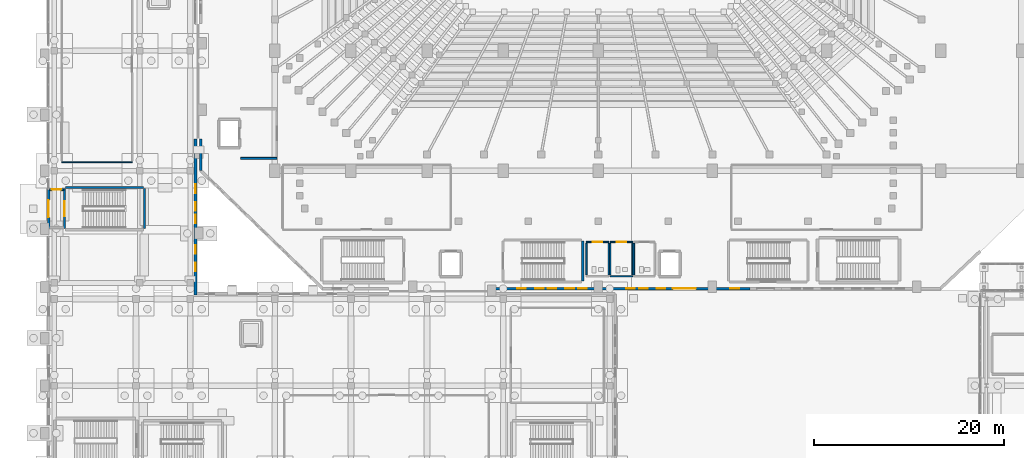
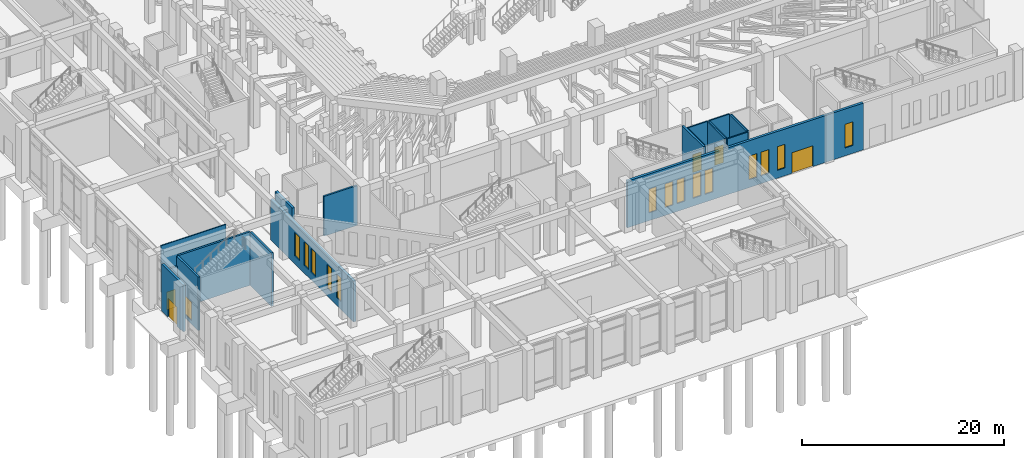
# One storey, part 106 of 143: 19 walls, 14 windows, 6 doors, 20 openings.
"""IFC4 building model written with IfcOpenShell, lengths in metres."""

from ifc_helpers import new_model, si_unit, derived_unit, direction, frame, frame_2d, origin, place, context, subcontext, project, spatial, rectangle, extrude, material, layer, layer_set, type_object, element, fill, save


model = new_model("IFC4")

# Units and contexts
model_context = context("Model", 3, precision=1e-05, world=origin(), true_north=direction((0.0, 1.0)))
body_context = subcontext(model_context, "Body", "Model", "MODEL_VIEW")
ifc_project = project(units=[si_unit("LENGTHUNIT", "METRE"), si_unit("AREAUNIT", "SQUARE_METRE"), si_unit("VOLUMEUNIT", "CUBIC_METRE"), si_unit("PLANEANGLEUNIT", "RADIAN"), si_unit("MASSUNIT", "GRAM", prefix="KILO"), derived_unit("THERMALTRANSMITTANCEUNIT", [(si_unit("MASSUNIT", "GRAM", prefix="KILO"), 1), (si_unit("TIMEUNIT", "SECOND"), -3), (si_unit("THERMODYNAMICTEMPERATUREUNIT", "KELVIN"), -1)])], contexts=[model_context])

# Site, building, storey
site_placement = place(None, origin())
site = spatial("IfcSite", under=ifc_project, at=site_placement, CompositionType="ELEMENT")
building_placement = place(site_placement, origin())
building = spatial("IfcBuilding", under=site, at=building_placement, Name="Valcora Ridge Arena", CompositionType="ELEMENT")
storey_placement = place(building_placement, origin())
storey = spatial("IfcBuildingStorey", under=building, at=storey_placement, Name="L00", CompositionType="ELEMENT", Elevation=0.0)

# Wall, openings, windows
ifc_material_1 = material(Name="Bush-hammered Andean travertine on concrete backup C40/50", Category="masonry")
ifc_layer_1 = layer(ifc_material_1, 0.280029296875, Name="Bush-hammered Andean travertine on concrete backup C40/50")
ifc_layer_set_1 = layer_set([ifc_layer_1], Name="Bush-hammered Andean travertine on concrete backup C40/50")
wall_type_1 = type_object("IfcWallType", Name="TY-WALL-EW-TRV-28-49", PredefinedType="STANDARD", material=ifc_layer_set_1)
wall_1_placement = place(storey_placement, frame((15.64990234375, 19.550048828125, 0.0), z_axis=(0.0, 0.0, 1.0), x_axis=(0.0, 1.0, 0.0)))
wall_1 = element("IfcWall", 1, at=wall_1_placement, inside=storey, type_object=wall_type_1, Name="EW-TRV-28-49 WAL-EW-0077", PredefinedType="STANDARD", context=body_context, shape_type="SweptSolid", body=[
    extrude(rectangle(XDim=16.39990234375, YDim=0.280029296875, at=frame_2d((8.199951171875, 0.0))), origin(), (0.0, 0.0, 1.0), 4.889892578125),
])
opening_1_placement = place(wall_1_placement, frame((2.449951171875, 0.0, 0.949951171875)))
opening_1 = element("IfcOpeningElement", 2, at=opening_1_placement, cuts=wall_1, Name="Opening W-GLAN-90X285", PredefinedType="OPENING", context=body_context, shape_type="SweptSolid", body=[
    extrude(rectangle(XDim=0.89990234375, YDim=2.85009765625, at=frame_2d((0.449951171875, 1.425048828125))), frame((0.0, 0.14990234375, 0.0), z_axis=(0.0, -1.0, 0.0), x_axis=(1.0, 0.0, 0.0)), (0.0, 0.0, 1.0), 0.300048828125),
])
opening_2_placement = place(wall_1_placement, frame((4.300048828125, 0.0, 0.949951171875)))
opening_2 = element("IfcOpeningElement", 3, at=opening_2_placement, cuts=wall_1, Name="Opening W-GLAN-90X285", PredefinedType="OPENING", context=body_context, shape_type="SweptSolid", body=[
    extrude(rectangle(XDim=0.89990234375, YDim=2.85009765625, at=frame_2d((0.449951171875, 1.425048828125))), frame((0.0, 0.14990234375, 0.0), z_axis=(0.0, -1.0, 0.0), x_axis=(1.0, 0.0, 0.0)), (0.0, 0.0, 1.0), 0.300048828125),
])
opening_3_placement = place(wall_1_placement, frame((7.5, 0.0, 0.949951171875)))
opening_3 = element("IfcOpeningElement", 4, at=opening_3_placement, cuts=wall_1, Name="Opening W-GLAN-90X285", PredefinedType="OPENING", context=body_context, shape_type="SweptSolid", body=[
    extrude(rectangle(XDim=0.89990234375, YDim=2.85009765625, at=frame_2d((0.449951171875, 1.425048828125))), frame((0.0, 0.14990234375, 0.0), z_axis=(0.0, -1.0, 0.0), x_axis=(1.0, 0.0, 0.0)), (0.0, 0.0, 1.0), 0.300048828125),
])
opening_4_placement = place(wall_1_placement, frame((8.85009765625, 0.0, 0.949951171875)))
opening_4 = element("IfcOpeningElement", 5, at=opening_4_placement, cuts=wall_1, Name="Opening W-GLAN-90X285", PredefinedType="OPENING", context=body_context, shape_type="SweptSolid", body=[
    extrude(rectangle(XDim=0.89990234375, YDim=2.85009765625, at=frame_2d((0.449951171875, 1.425048828125))), frame((0.0, 0.14990234375, 0.0), z_axis=(0.0, -1.0, 0.0), x_axis=(1.0, 0.0, 0.0)), (0.0, 0.0, 1.0), 0.300048828125),
])
opening_5_placement = place(wall_1_placement, frame((10.699951171875, 0.0, 0.949951171875)))
opening_5 = element("IfcOpeningElement", 6, at=opening_5_placement, cuts=wall_1, Name="Opening W-GLAN-90X285", PredefinedType="OPENING", context=body_context, shape_type="SweptSolid", body=[
    extrude(rectangle(XDim=0.89990234375, YDim=2.85009765625, at=frame_2d((0.449951171875, 1.425048828125))), frame((0.0, 0.14990234375, 0.0), z_axis=(0.0, -1.0, 0.0), x_axis=(1.0, 0.0, 0.0)), (0.0, 0.0, 1.0), 0.300048828125),
])
ifc_material_2 = material(Name="Low-iron solar-control double glazing SHGC 0.28", Category="glass")
window_type = type_object("IfcWindowType", Name="TY-WINDOW-W-GLAN-90X285", PartitioningType="DOUBLE_PANEL_VERTICAL", PredefinedType="WINDOW", material=ifc_material_2)
window_1_placement = place(opening_1_placement, origin())
window_1 = element("IfcWindow", 7, at=window_1_placement, inside=storey, type_object=window_type, Name="W-GLAN-90X285 WIN-EX-0207", OverallHeight=2.85009765625, OverallWidth=0.89990234375, PartitioningType="DOUBLE_PANEL_VERTICAL", PredefinedType="WINDOW", context=body_context, shape_type="SweptSolid", body=[
    extrude(rectangle(XDim=0.89990234375, YDim=2.85009765625, at=frame_2d((0.449951171875, 1.425048828125))), frame((0.0, 0.030029296875, 0.0), z_axis=(0.0, -1.0, 0.0), x_axis=(1.0, 0.0, 0.0)), (0.0, 0.0, 1.0), 0.06005859375),
])
fill(opening_1, window_1)
window_2_placement = place(opening_2_placement, origin())
window_2 = element("IfcWindow", 8, at=window_2_placement, inside=storey, type_object=window_type, Name="W-GLAN-90X285 WIN-EX-0208", OverallHeight=2.85009765625, OverallWidth=0.89990234375, PartitioningType="DOUBLE_PANEL_VERTICAL", PredefinedType="WINDOW", context=body_context, shape_type="SweptSolid", body=[
    extrude(rectangle(XDim=0.89990234375, YDim=2.85009765625, at=frame_2d((0.449951171875, 1.425048828125))), frame((0.0, 0.030029296875, 0.0), z_axis=(0.0, -1.0, 0.0), x_axis=(1.0, 0.0, 0.0)), (0.0, 0.0, 1.0), 0.06005859375),
])
fill(opening_2, window_2)
window_3_placement = place(opening_3_placement, origin())
window_3 = element("IfcWindow", 9, at=window_3_placement, inside=storey, type_object=window_type, Name="W-GLAN-90X285 WIN-EX-0209", OverallHeight=2.85009765625, OverallWidth=0.89990234375, PartitioningType="DOUBLE_PANEL_VERTICAL", PredefinedType="WINDOW", context=body_context, shape_type="SweptSolid", body=[
    extrude(rectangle(XDim=0.89990234375, YDim=2.85009765625, at=frame_2d((0.449951171875, 1.425048828125))), frame((0.0, 0.030029296875, 0.0), z_axis=(0.0, -1.0, 0.0), x_axis=(1.0, 0.0, 0.0)), (0.0, 0.0, 1.0), 0.06005859375),
])
fill(opening_3, window_3)
window_4_placement = place(opening_4_placement, origin())
window_4 = element("IfcWindow", 10, at=window_4_placement, inside=storey, type_object=window_type, Name="W-GLAN-90X285 WIN-EX-0210", OverallHeight=2.85009765625, OverallWidth=0.89990234375, PartitioningType="DOUBLE_PANEL_VERTICAL", PredefinedType="WINDOW", context=body_context, shape_type="SweptSolid", body=[
    extrude(rectangle(XDim=0.89990234375, YDim=2.85009765625, at=frame_2d((0.449951171875, 1.425048828125))), frame((0.0, 0.030029296875, 0.0), z_axis=(0.0, -1.0, 0.0), x_axis=(1.0, 0.0, 0.0)), (0.0, 0.0, 1.0), 0.06005859375),
])
fill(opening_4, window_4)
window_5_placement = place(opening_5_placement, origin())
window_5 = element("IfcWindow", 11, at=window_5_placement, inside=storey, type_object=window_type, Name="W-GLAN-90X285 WIN-EX-0211", OverallHeight=2.85009765625, OverallWidth=0.89990234375, PartitioningType="DOUBLE_PANEL_VERTICAL", PredefinedType="WINDOW", context=body_context, shape_type="SweptSolid", body=[
    extrude(rectangle(XDim=0.89990234375, YDim=2.85009765625, at=frame_2d((0.449951171875, 1.425048828125))), frame((0.0, 0.030029296875, 0.0), z_axis=(0.0, -1.0, 0.0), x_axis=(1.0, 0.0, 0.0)), (0.0, 0.0, 1.0), 0.06005859375),
])
fill(opening_5, window_5)

# Wall
ifc_layer_2 = layer(ifc_material_1, 0.280029296875, Name="Bush-hammered Andean travertine on concrete backup C40/50")
ifc_layer_set_2 = layer_set([ifc_layer_2], Name="Bush-hammered Andean travertine on concrete backup C40/50")
wall_type_2 = type_object("IfcWallType", Name="TY-WALL-EW-TRV-28-56", PredefinedType="STANDARD", material=ifc_layer_set_2)
wall_2_placement = place(storey_placement, frame((16.199951171875, 32.60009765625, 0.0), z_axis=(0.0, 0.0, 1.0), x_axis=(0.0, 1.0, 0.0)))
element("IfcWall", 12, at=wall_2_placement, inside=storey, type_object=wall_type_2, Name="EW-TRV-28-56 WAL-EW-0025", PredefinedType="STANDARD", context=body_context, shape_type="SweptSolid", body=[
    extrude(rectangle(XDim=3.349853515625, YDim=0.280029296875, at=frame_2d((1.6748046875, 0.0))), origin(), (0.0, 0.0, 1.0), 5.639892578125),
])

# Wall, openings, door, windows
wall_3_placement = place(storey_placement, frame((47.050048828125, 20.199951171875, 0.0), z_axis=(0.0, 0.0, 1.0), x_axis=(1.0, 0.0, 0.0)))
wall_3 = element("IfcWall", 13, at=wall_3_placement, inside=storey, type_object=wall_type_2, Name="EW-TRV-28-56 WAL-EW-0030", PredefinedType="STANDARD", context=body_context, shape_type="SweptSolid", body=[
    extrude(rectangle(XDim=26.929931640625, YDim=0.280029296875, at=frame_2d((13.46484375, 0.0))), origin(), (0.0, 0.0, 1.0), 5.639892578125),
])
opening_6_placement = place(wall_3_placement, frame((18.800048828125, 0.0, 0.0)))
opening_6 = element("IfcOpeningElement", 14, at=opening_6_placement, cuts=wall_3, Name="Opening E-MAIN-2400", PredefinedType="OPENING", context=body_context, shape_type="SweptSolid", body=[
    extrude(rectangle(XDim=2.39990234375, YDim=2.5, at=frame_2d((1.199951171875, 1.25))), frame((0.0, 0.14990234375, 0.0), z_axis=(0.0, -1.0, 0.0), x_axis=(1.0, 0.0, 0.0)), (0.0, 0.0, 1.0), 0.300048828125),
])
opening_7_placement = place(wall_3_placement, frame((2.449951171875, 0.0, 0.949951171875)))
opening_7 = element("IfcOpeningElement", 15, at=opening_7_placement, cuts=wall_3, Name="Opening W-GLAN-90X285", PredefinedType="OPENING", context=body_context, shape_type="SweptSolid", body=[
    extrude(rectangle(XDim=0.89990234375, YDim=2.85009765625, at=frame_2d((0.449951171875, 1.425048828125))), frame((0.0, 0.14990234375, 0.0), z_axis=(0.0, -1.0, 0.0), x_axis=(1.0, 0.0, 0.0)), (0.0, 0.0, 1.0), 0.300048828125),
])
opening_8_placement = place(wall_3_placement, frame((4.300048828125, 0.0, 0.949951171875)))
opening_8 = element("IfcOpeningElement", 16, at=opening_8_placement, cuts=wall_3, Name="Opening W-GLAN-90X285", PredefinedType="OPENING", context=body_context, shape_type="SweptSolid", body=[
    extrude(rectangle(XDim=0.89990234375, YDim=2.85009765625, at=frame_2d((0.449951171875, 1.425048828125))), frame((0.0, 0.14990234375, 0.0), z_axis=(0.0, -1.0, 0.0), x_axis=(1.0, 0.0, 0.0)), (0.0, 0.0, 1.0), 0.300048828125),
])
opening_9_placement = place(wall_3_placement, frame((5.64990234375, 0.0, 0.949951171875)))
opening_9 = element("IfcOpeningElement", 17, at=opening_9_placement, cuts=wall_3, Name="Opening W-GLAN-90X285", PredefinedType="OPENING", context=body_context, shape_type="SweptSolid", body=[
    extrude(rectangle(XDim=0.89990234375, YDim=2.85009765625, at=frame_2d((0.449951171875, 1.425048828125))), frame((0.0, 0.14990234375, 0.0), z_axis=(0.0, -1.0, 0.0), x_axis=(1.0, 0.0, 0.0)), (0.0, 0.0, 1.0), 0.300048828125),
])
opening_10_placement = place(wall_3_placement, frame((7.5, 0.0, 0.949951171875)))
opening_10 = element("IfcOpeningElement", 18, at=opening_10_placement, cuts=wall_3, Name="Opening W-GLAN-90X285", PredefinedType="OPENING", context=body_context, shape_type="SweptSolid", body=[
    extrude(rectangle(XDim=0.89990234375, YDim=2.85009765625, at=frame_2d((0.449951171875, 1.425048828125))), frame((0.0, 0.14990234375, 0.0), z_axis=(0.0, -1.0, 0.0), x_axis=(1.0, 0.0, 0.0)), (0.0, 0.0, 1.0), 0.300048828125),
])
opening_11_placement = place(wall_3_placement, frame((8.85009765625, 0.0, 0.949951171875)))
opening_11 = element("IfcOpeningElement", 19, at=opening_11_placement, cuts=wall_3, Name="Opening W-GLAN-90X285", PredefinedType="OPENING", context=body_context, shape_type="SweptSolid", body=[
    extrude(rectangle(XDim=0.89990234375, YDim=2.85009765625, at=frame_2d((0.449951171875, 1.425048828125))), frame((0.0, 0.14990234375, 0.0), z_axis=(0.0, -1.0, 0.0), x_axis=(1.0, 0.0, 0.0)), (0.0, 0.0, 1.0), 0.300048828125),
])
opening_12_placement = place(wall_3_placement, frame((13.89990234375, 0.0, 0.949951171875)))
opening_12 = element("IfcOpeningElement", 20, at=opening_12_placement, cuts=wall_3, Name="Opening W-GLAN-90X285", PredefinedType="OPENING", context=body_context, shape_type="SweptSolid", body=[
    extrude(rectangle(XDim=0.89990234375, YDim=2.85009765625, at=frame_2d((0.449951171875, 1.425048828125))), frame((0.0, 0.14990234375, 0.0), z_axis=(0.0, -1.0, 0.0), x_axis=(1.0, 0.0, 0.0)), (0.0, 0.0, 1.0), 0.300048828125),
])
opening_13_placement = place(wall_3_placement, frame((15.25, 0.0, 0.949951171875)))
opening_13 = element("IfcOpeningElement", 21, at=opening_13_placement, cuts=wall_3, Name="Opening W-GLAN-90X285", PredefinedType="OPENING", context=body_context, shape_type="SweptSolid", body=[
    extrude(rectangle(XDim=0.89990234375, YDim=2.85009765625, at=frame_2d((0.449951171875, 1.425048828125))), frame((0.0, 0.14990234375, 0.0), z_axis=(0.0, -1.0, 0.0), x_axis=(1.0, 0.0, 0.0)), (0.0, 0.0, 1.0), 0.300048828125),
])
opening_14_placement = place(wall_3_placement, frame((17.10009765625, 0.0, 0.949951171875)))
opening_14 = element("IfcOpeningElement", 22, at=opening_14_placement, cuts=wall_3, Name="Opening W-GLAN-90X285", PredefinedType="OPENING", context=body_context, shape_type="SweptSolid", body=[
    extrude(rectangle(XDim=0.89990234375, YDim=2.85009765625, at=frame_2d((0.449951171875, 1.425048828125))), frame((0.0, 0.14990234375, 0.0), z_axis=(0.0, -1.0, 0.0), x_axis=(1.0, 0.0, 0.0)), (0.0, 0.0, 1.0), 0.300048828125),
])
opening_15_placement = place(wall_3_placement, frame((24.85009765625, 0.0, 0.949951171875)))
opening_15 = element("IfcOpeningElement", 23, at=opening_15_placement, cuts=wall_3, Name="Opening W-GLAN-90X285", PredefinedType="OPENING", context=body_context, shape_type="SweptSolid", body=[
    extrude(rectangle(XDim=0.89990234375, YDim=2.85009765625, at=frame_2d((0.449951171875, 1.425048828125))), frame((0.0, 0.14990234375, 0.0), z_axis=(0.0, -1.0, 0.0), x_axis=(1.0, 0.0, 0.0)), (0.0, 0.0, 1.0), 0.300048828125),
])
ifc_material_3 = material(Name="Thermally broken bronze aluminium glazed entrance leaf", Category="aluminium")
door_type_1 = type_object("IfcDoorType", Name="TY-DOOR-E-MAIN-2400", OperationType="NOTDEFINED", PredefinedType="DOOR", material=ifc_material_3)
door_1_placement = place(opening_6_placement, origin())
door_1 = element("IfcDoor", 24, at=door_1_placement, inside=storey, type_object=door_type_1, Name="E-MAIN-2400 DOR-EX-0010", OperationType="DOUBLE_DOOR_SINGLE_SWING", OverallHeight=2.5, OverallWidth=2.39990234375, PredefinedType="DOOR", context=body_context, shape_type="SweptSolid", body=[
    extrude(rectangle(XDim=2.39990234375, YDim=2.5, at=frame_2d((1.199951171875, 1.25))), frame((0.0, 0.02490234375, 0.0), z_axis=(0.0, -1.0, 0.0), x_axis=(1.0, 0.0, 0.0)), (0.0, 0.0, 1.0), 0.050048828125),
])
fill(opening_6, door_1)
window_6_placement = place(opening_7_placement, origin())
window_6 = element("IfcWindow", 25, at=window_6_placement, inside=storey, type_object=window_type, Name="W-GLAN-90X285 WIN-EX-0051", OverallHeight=2.85009765625, OverallWidth=0.89990234375, PartitioningType="DOUBLE_PANEL_VERTICAL", PredefinedType="WINDOW", context=body_context, shape_type="SweptSolid", body=[
    extrude(rectangle(XDim=0.89990234375, YDim=2.85009765625, at=frame_2d((0.449951171875, 1.425048828125))), frame((0.0, 0.030029296875, 0.0), z_axis=(0.0, -1.0, 0.0), x_axis=(1.0, 0.0, 0.0)), (0.0, 0.0, 1.0), 0.06005859375),
])
fill(opening_7, window_6)
window_7_placement = place(opening_8_placement, origin())
window_7 = element("IfcWindow", 26, at=window_7_placement, inside=storey, type_object=window_type, Name="W-GLAN-90X285 WIN-EX-0052", OverallHeight=2.85009765625, OverallWidth=0.89990234375, PartitioningType="DOUBLE_PANEL_VERTICAL", PredefinedType="WINDOW", context=body_context, shape_type="SweptSolid", body=[
    extrude(rectangle(XDim=0.89990234375, YDim=2.85009765625, at=frame_2d((0.449951171875, 1.425048828125))), frame((0.0, 0.030029296875, 0.0), z_axis=(0.0, -1.0, 0.0), x_axis=(1.0, 0.0, 0.0)), (0.0, 0.0, 1.0), 0.06005859375),
])
fill(opening_8, window_7)
window_8_placement = place(opening_9_placement, origin())
window_8 = element("IfcWindow", 27, at=window_8_placement, inside=storey, type_object=window_type, Name="W-GLAN-90X285 WIN-EX-0053", OverallHeight=2.85009765625, OverallWidth=0.89990234375, PartitioningType="DOUBLE_PANEL_VERTICAL", PredefinedType="WINDOW", context=body_context, shape_type="SweptSolid", body=[
    extrude(rectangle(XDim=0.89990234375, YDim=2.85009765625, at=frame_2d((0.449951171875, 1.425048828125))), frame((0.0, 0.030029296875, 0.0), z_axis=(0.0, -1.0, 0.0), x_axis=(1.0, 0.0, 0.0)), (0.0, 0.0, 1.0), 0.06005859375),
])
fill(opening_9, window_8)
window_9_placement = place(opening_10_placement, origin())
window_9 = element("IfcWindow", 28, at=window_9_placement, inside=storey, type_object=window_type, Name="W-GLAN-90X285 WIN-EX-0054", OverallHeight=2.85009765625, OverallWidth=0.89990234375, PartitioningType="DOUBLE_PANEL_VERTICAL", PredefinedType="WINDOW", context=body_context, shape_type="SweptSolid", body=[
    extrude(rectangle(XDim=0.89990234375, YDim=2.85009765625, at=frame_2d((0.449951171875, 1.425048828125))), frame((0.0, 0.030029296875, 0.0), z_axis=(0.0, -1.0, 0.0), x_axis=(1.0, 0.0, 0.0)), (0.0, 0.0, 1.0), 0.06005859375),
])
fill(opening_10, window_9)
window_10_placement = place(opening_11_placement, origin())
window_10 = element("IfcWindow", 29, at=window_10_placement, inside=storey, type_object=window_type, Name="W-GLAN-90X285 WIN-EX-0055", OverallHeight=2.85009765625, OverallWidth=0.89990234375, PartitioningType="DOUBLE_PANEL_VERTICAL", PredefinedType="WINDOW", context=body_context, shape_type="SweptSolid", body=[
    extrude(rectangle(XDim=0.89990234375, YDim=2.85009765625, at=frame_2d((0.449951171875, 1.425048828125))), frame((0.0, 0.030029296875, 0.0), z_axis=(0.0, -1.0, 0.0), x_axis=(1.0, 0.0, 0.0)), (0.0, 0.0, 1.0), 0.06005859375),
])
fill(opening_11, window_10)
window_11_placement = place(opening_12_placement, origin())
window_11 = element("IfcWindow", 30, at=window_11_placement, inside=storey, type_object=window_type, Name="W-GLAN-90X285 WIN-EX-0056", OverallHeight=2.85009765625, OverallWidth=0.89990234375, PartitioningType="DOUBLE_PANEL_VERTICAL", PredefinedType="WINDOW", context=body_context, shape_type="SweptSolid", body=[
    extrude(rectangle(XDim=0.89990234375, YDim=2.85009765625, at=frame_2d((0.449951171875, 1.425048828125))), frame((0.0, 0.030029296875, 0.0), z_axis=(0.0, -1.0, 0.0), x_axis=(1.0, 0.0, 0.0)), (0.0, 0.0, 1.0), 0.06005859375),
])
fill(opening_12, window_11)
window_12_placement = place(opening_13_placement, origin())
window_12 = element("IfcWindow", 31, at=window_12_placement, inside=storey, type_object=window_type, Name="W-GLAN-90X285 WIN-EX-0057", OverallHeight=2.85009765625, OverallWidth=0.89990234375, PartitioningType="DOUBLE_PANEL_VERTICAL", PredefinedType="WINDOW", context=body_context, shape_type="SweptSolid", body=[
    extrude(rectangle(XDim=0.89990234375, YDim=2.85009765625, at=frame_2d((0.449951171875, 1.425048828125))), frame((0.0, 0.030029296875, 0.0), z_axis=(0.0, -1.0, 0.0), x_axis=(1.0, 0.0, 0.0)), (0.0, 0.0, 1.0), 0.06005859375),
])
fill(opening_13, window_12)
window_13_placement = place(opening_14_placement, origin())
window_13 = element("IfcWindow", 32, at=window_13_placement, inside=storey, type_object=window_type, Name="W-GLAN-90X285 WIN-EX-0058", OverallHeight=2.85009765625, OverallWidth=0.89990234375, PartitioningType="DOUBLE_PANEL_VERTICAL", PredefinedType="WINDOW", context=body_context, shape_type="SweptSolid", body=[
    extrude(rectangle(XDim=0.89990234375, YDim=2.85009765625, at=frame_2d((0.449951171875, 1.425048828125))), frame((0.0, 0.030029296875, 0.0), z_axis=(0.0, -1.0, 0.0), x_axis=(1.0, 0.0, 0.0)), (0.0, 0.0, 1.0), 0.06005859375),
])
fill(opening_14, window_13)
window_14_placement = place(opening_15_placement, origin())
window_14 = element("IfcWindow", 33, at=window_14_placement, inside=storey, type_object=window_type, Name="W-GLAN-90X285 WIN-EX-0059", OverallHeight=2.85009765625, OverallWidth=0.89990234375, PartitioningType="DOUBLE_PANEL_VERTICAL", PredefinedType="WINDOW", context=body_context, shape_type="SweptSolid", body=[
    extrude(rectangle(XDim=0.89990234375, YDim=2.85009765625, at=frame_2d((0.449951171875, 1.425048828125))), frame((0.0, 0.030029296875, 0.0), z_axis=(0.0, -1.0, 0.0), x_axis=(1.0, 0.0, 0.0)), (0.0, 0.0, 1.0), 0.06005859375),
])
fill(opening_15, window_14)

# Wall, opening, door
ifc_layer_3 = layer(ifc_material_1, 0.280029296875, Name="Bush-hammered Andean travertine on concrete backup C40/50")
ifc_layer_set_3 = layer_set([ifc_layer_3], Name="Bush-hammered Andean travertine on concrete backup C40/50")
wall_type_3 = type_object("IfcWallType", Name="TY-WALL-EW-TRV-XP-56", PredefinedType="STANDARD", material=ifc_layer_set_3)
wall_4_placement = place(storey_placement, frame((0.219970703125, 26.5, 0.0), z_axis=(0.0, 0.0, 1.0), x_axis=(0.0, 1.0, 0.0)))
wall_4 = element("IfcWall", 34, at=wall_4_placement, inside=storey, type_object=wall_type_3, Name="EW-TRV-XP-56 WAL-XP-0010", PredefinedType="STANDARD", context=body_context, shape_type="SweptSolid", body=[
    extrude(rectangle(XDim=4.199951171875, YDim=0.280029296875, at=frame_2d((2.10009765625, 0.0))), origin(), (0.0, 0.0, 1.0), 5.639892578125),
])
opening_16_placement = place(wall_4_placement, frame((1.199951171875, 0.0, 0.0)))
opening_16 = element("IfcOpeningElement", 35, at=opening_16_placement, cuts=wall_4, Name="Opening D-EXP-1800", PredefinedType="OPENING", context=body_context, shape_type="SweptSolid", body=[
    extrude(rectangle(XDim=1.800048828125, YDim=2.25, at=frame_2d((0.89990234375, 1.125))), frame((0.0, 0.14990234375, 0.0), z_axis=(0.0, -1.0, 0.0), x_axis=(1.0, 0.0, 0.0)), (0.0, 0.0, 1.0), 0.300048828125),
])
ifc_material_4 = material(Name="Insulated fire-rated steel door leaf", Category="steel")
door_type_2 = type_object("IfcDoorType", Name="TY-DOOR-D-EXP-1800", OperationType="NOTDEFINED", PredefinedType="DOOR", material=ifc_material_4)
door_2_placement = place(opening_16_placement, origin())
door_2 = element("IfcDoor", 36, at=door_2_placement, inside=storey, type_object=door_type_2, Name="Final Exit Discharge Door ES07", OperationType="DOUBLE_DOOR_SINGLE_SWING", OverallHeight=2.25, OverallWidth=1.800048828125, PredefinedType="DOOR", context=body_context, shape_type="SweptSolid", body=[
    extrude(rectangle(XDim=1.800048828125, YDim=2.25, at=frame_2d((0.89990234375, 1.125))), frame((0.0, 0.02490234375, 0.0), z_axis=(0.0, -1.0, 0.0), x_axis=(1.0, 0.0, 0.0)), (0.0, 0.0, 1.0), 0.050048828125),
])
fill(opening_16, door_2)

ifc_material_5 = material(Name="Fire-rated masonry-core compartment wall C35/45 150 mm", Category="masonry")
ifc_layer_4 = layer(ifc_material_5, 0.14990234375, Name="Fire-rated masonry-core compartment wall C35/45 150 mm")
ifc_layer_set_4 = layer_set([ifc_layer_4], Name="Fire-rated masonry-core compartment wall C35/45 150 mm")
wall_type_4 = type_object("IfcWallType", Name="TY-WALL-IW-COMP-150", PredefinedType="STANDARD", material=ifc_layer_set_4)
wall_5_placement = place(storey_placement, frame((56.75, 25.10009765625, 0.0), z_axis=(0.0, 0.0, 1.0), x_axis=(1.0, 0.0, 0.0)))
wall_5 = element("IfcWall", 37, at=wall_5_placement, inside=storey, type_object=wall_type_4, Name="IW-COMP-150 WAL-IN-0060", PredefinedType="STANDARD", context=body_context, shape_type="SweptSolid", body=[
    extrude(rectangle(XDim=2.35009765625, YDim=0.14990234375, at=frame_2d((1.175048828125, 0.0))), origin(), (0.0, 0.0, 1.0), 5.639892578125),
])
opening_17_placement = place(wall_5_placement, frame((0.675048828125, 0.0, 0.0)))
opening_17 = element("IfcOpeningElement", 38, at=opening_17_placement, cuts=wall_5, Name="Opening D-WC-1000", PredefinedType="OPENING", context=body_context, shape_type="SweptSolid", body=[
    extrude(rectangle(XDim=1.0, YDim=2.14990234375, at=frame_2d((0.5, 1.074951171875))), frame((0.0, 0.0849609375, 0.0), z_axis=(0.0, -1.0, 0.0), x_axis=(1.0, 0.0, 0.0)), (0.0, 0.0, 1.0), 0.169921875),
])
door_type_3 = type_object("IfcDoorType", Name="TY-DOOR-D-WC-1000", OperationType="NOTDEFINED", PredefinedType="DOOR", material=ifc_material_4)
door_3_placement = place(opening_17_placement, origin())
door_3 = element("IfcDoor", 39, at=door_3_placement, inside=storey, type_object=door_type_3, Name="D-WC-1000 DOR-IN-0019", OperationType="SINGLE_SWING_LEFT", OverallHeight=2.14990234375, OverallWidth=1.0, PredefinedType="DOOR", context=body_context, shape_type="SweptSolid", body=[
    extrude(rectangle(XDim=1.0, YDim=2.14990234375, at=frame_2d((0.5, 1.074951171875))), frame((0.0, 0.02490234375, 0.0), z_axis=(0.0, -1.0, 0.0), x_axis=(1.0, 0.0, 0.0)), (0.0, 0.0, 1.0), 0.050048828125),
])
fill(opening_17, door_3)

# Walls
for number, where, z_axis, x_axis, name in (
    (40, (56.75, 21.64990234375, 0.0), (0.0, 0.0, 1.0), (0.0, 1.0, 0.0), "IW-COMP-150 WAL-IN-0061"),
    (41, (59.10009765625, 21.64990234375, 0.0), (0.0, 0.0, 1.0), (0.0, 1.0, 0.0), "IW-COMP-150 WAL-IN-0062"),
):
    element("IfcWall", number, at=place(storey_placement, frame(where, z_axis=z_axis, x_axis=x_axis)), inside=storey, type_object=wall_type_4, Name=name, PredefinedType="STANDARD", context=body_context, shape_type="SweptSolid", body=[
        extrude(rectangle(XDim=3.300048828125, YDim=0.14990234375, at=frame_2d((1.64990234375, 0.0))), origin(), (0.0, 0.0, 1.0), 5.639892578125),
    ])
wall_6_placement = place(storey_placement, frame((59.25, 21.5, 0.0), z_axis=(0.0, 0.0, 1.0), x_axis=(1.0, 0.0, 0.0)))
element("IfcWall", 42, at=wall_6_placement, inside=storey, type_object=wall_type_4, Name="IW-COMP-150 WAL-IN-0063", PredefinedType="STANDARD", context=body_context, shape_type="SweptSolid", body=[
    extrude(rectangle(XDim=2.35009765625, YDim=0.14990234375, at=frame_2d((1.175048828125, 0.0))), origin(), (0.0, 0.0, 1.0), 5.639892578125),
])

# Wall, opening, door
wall_7_placement = place(storey_placement, frame((59.25, 25.10009765625, 0.0), z_axis=(0.0, 0.0, 1.0), x_axis=(1.0, 0.0, 0.0)))
wall_7 = element("IfcWall", 43, at=wall_7_placement, inside=storey, type_object=wall_type_4, Name="IW-COMP-150 WAL-IN-0064", PredefinedType="STANDARD", context=body_context, shape_type="SweptSolid", body=[
    extrude(rectangle(XDim=2.35009765625, YDim=0.14990234375, at=frame_2d((1.175048828125, 0.0))), origin(), (0.0, 0.0, 1.0), 5.639892578125),
])
opening_18_placement = place(wall_7_placement, frame((0.675048828125, 0.0, 0.0)))
opening_18 = element("IfcOpeningElement", 44, at=opening_18_placement, cuts=wall_7, Name="Opening D-WC-1000", PredefinedType="OPENING", context=body_context, shape_type="SweptSolid", body=[
    extrude(rectangle(XDim=1.0, YDim=2.14990234375, at=frame_2d((0.5, 1.074951171875))), frame((0.0, 0.0849609375, 0.0), z_axis=(0.0, -1.0, 0.0), x_axis=(1.0, 0.0, 0.0)), (0.0, 0.0, 1.0), 0.169921875),
])
door_4_placement = place(opening_18_placement, origin())
door_4 = element("IfcDoor", 45, at=door_4_placement, inside=storey, type_object=door_type_3, Name="D-WC-1000 DOR-IN-0020", OperationType="SINGLE_SWING_RIGHT", OverallHeight=2.14990234375, OverallWidth=1.0, PredefinedType="DOOR", context=body_context, shape_type="SweptSolid", body=[
    extrude(rectangle(XDim=1.0, YDim=2.14990234375, at=frame_2d((0.5, 1.074951171875))), frame((0.0, 0.02490234375, 0.0), z_axis=(0.0, -1.0, 0.0), x_axis=(1.0, 0.0, 0.0)), (0.0, 0.0, 1.0), 0.050048828125),
])
fill(opening_18, door_4)

# Walls
for number, where, z_axis, x_axis, name in (
    (46, (59.25, 21.64990234375, 0.0), (0.0, 0.0, 1.0), (0.0, 1.0, 0.0), "IW-COMP-150 WAL-IN-0065"),
    (47, (61.60009765625, 21.64990234375, 0.0), (0.0, 0.0, 1.0), (0.0, 1.0, 0.0), "IW-COMP-150 WAL-IN-0066"),
    (48, (61.75, 21.64990234375, 0.0), (0.0, 0.0, 1.0), (0.0, 1.0, 0.0), "IW-COMP-150 WAL-IN-0069"),
):
    element("IfcWall", number, at=place(storey_placement, frame(where, z_axis=z_axis, x_axis=x_axis)), inside=storey, type_object=wall_type_4, Name=name, PredefinedType="STANDARD", context=body_context, shape_type="SweptSolid", body=[
        extrude(rectangle(XDim=3.300048828125, YDim=0.14990234375, at=frame_2d((1.64990234375, 0.0))), origin(), (0.0, 0.0, 1.0), 5.639892578125),
    ])
ifc_material_6 = material(Name="Fire-resisting reinforced concrete enclosure C40/50 200 mm", Category="concrete")
ifc_layer_5 = layer(ifc_material_6, 0.199951171875, Name="Fire-resisting reinforced concrete enclosure C40/50 200 mm")
ifc_layer_set_5 = layer_set([ifc_layer_5], Name="Fire-resisting reinforced concrete enclosure C40/50 200 mm")
wall_type_5 = type_object("IfcWallType", Name="TY-WALL-IW-FIRE-200", PredefinedType="STANDARD", material=ifc_layer_set_5)
wall_8_placement = place(storey_placement, frame((20.39990234375, 33.89990234375, 0.0), z_axis=(0.0, 0.0, 1.0), x_axis=(1.0, 0.0, 0.0)))
element("IfcWall", 49, at=wall_8_placement, inside=storey, type_object=wall_type_5, Name="IW-FIRE-200 WAL-IN-0004", PredefinedType="STANDARD", context=body_context, shape_type="SweptSolid", body=[
    extrude(rectangle(XDim=3.800048828125, YDim=0.199951171875, at=frame_2d((1.89990234375, 0.0))), origin(), (0.0, 0.0, 1.0), 4.7900390625),
])

# Wall, opening, door
wall_9_placement = place(storey_placement, frame((0.320068359375, 30.60009765625, 0.0), z_axis=(0.0, 0.0, 1.0), x_axis=(1.0, 0.0, 0.0)))
wall_9 = element("IfcWall", 50, at=wall_9_placement, inside=storey, type_object=wall_type_5, Name="IW-FIRE-200 WAL-XP-0012", PredefinedType="STANDARD", context=body_context, shape_type="SweptSolid", body=[
    extrude(rectangle(XDim=1.469970703125, YDim=0.199951171875, at=frame_2d((0.73486328125, 0.0))), origin(), (0.0, 0.0, 1.0), 4.889892578125),
])
opening_19_placement = place(wall_9_placement, frame((0.235107421875, 0.0, 0.0)))
opening_19 = element("IfcOpeningElement", 51, at=opening_19_placement, cuts=wall_9, Name="Opening FD-STE-1000", PredefinedType="OPENING", context=body_context, shape_type="SweptSolid", body=[
    extrude(rectangle(XDim=1.0, YDim=2.14990234375, at=frame_2d((0.5, 1.074951171875))), frame((0.0, 0.10986328125, 0.0), z_axis=(0.0, -1.0, 0.0), x_axis=(1.0, 0.0, 0.0)), (0.0, 0.0, 1.0), 0.219970703125),
])
door_type_4 = type_object("IfcDoorType", Name="TY-DOOR-FD-STE-1000", OperationType="NOTDEFINED", PredefinedType="DOOR", material=ifc_material_4)
door_5_placement = place(opening_19_placement, origin())
door_5 = element("IfcDoor", 52, at=door_5_placement, inside=storey, type_object=door_type_4, Name="FD-STE-1000 DOR-XP-0008", OperationType="SINGLE_SWING_RIGHT", OverallHeight=2.14990234375, OverallWidth=1.0, PredefinedType="DOOR", context=body_context, shape_type="SweptSolid", body=[
    extrude(rectangle(XDim=1.0, YDim=2.14990234375, at=frame_2d((0.5, 1.074951171875))), frame((0.0, 0.02490234375, 0.0), z_axis=(0.0, -1.0, 0.0), x_axis=(1.0, 0.0, 0.0)), (0.0, 0.0, 1.0), 0.050048828125),
])
fill(opening_19, door_5)

# Walls
ifc_material_7 = material(Name="Acoustic metal-stud gypsum partition 120 mm")
ifc_layer_6 = layer(ifc_material_7, 0.1201171875, Name="Acoustic metal-stud gypsum partition 120 mm")
ifc_layer_set_6 = layer_set([ifc_layer_6], Name="Acoustic metal-stud gypsum partition 120 mm")
wall_type_6 = type_object("IfcWallType", Name="TY-WALL-IW-PART-120", PredefinedType="PARTITIONING", material=ifc_layer_set_6)
wall_10_placement = place(storey_placement, frame((1.60009765625, 33.5, 0.0), z_axis=(0.0, 0.0, 1.0), x_axis=(1.0, 0.0, 0.0)))
element("IfcWall", 53, at=wall_10_placement, inside=storey, type_object=wall_type_6, Name="IW-PART-120 WAL-IN-0265", PredefinedType="PARTITIONING", context=body_context, shape_type="SweptSolid", body=[
    extrude(rectangle(XDim=7.39990234375, YDim=0.1201171875, at=frame_2d((3.699951171875, 0.0))), origin(), (0.0, 0.0, 1.0), 5.639892578125),
])
ifc_layer_7 = layer(ifc_material_6, 0.219970703125, Name="Fire-resisting reinforced concrete enclosure C40/50 200 mm")
ifc_layer_set_7 = layer_set([ifc_layer_7], Name="Fire-resisting reinforced concrete enclosure C40/50 200 mm")
wall_type_7 = type_object("IfcWallType", Name="TY-WALL-SW-ES-220", PredefinedType="SHEAR", material=ifc_layer_set_7)
wall_11_placement = place(storey_placement, frame((56.3701171875, 21.0, 0.0), z_axis=(0.0, 0.0, 1.0), x_axis=(0.0, 1.0, 0.0)))
element("IfcWall", 54, at=wall_11_placement, inside=storey, type_object=wall_type_7, Name="SW-ES-220 WAL-ES-0008", PredefinedType="SHEAR", context=body_context, shape_type="SweptSolid", body=[
    extrude(rectangle(XDim=4.199951171875, YDim=0.219970703125, at=frame_2d((2.10009765625, 0.0))), origin(), (0.0, 0.0, 1.0), 6.0),
])
wall_12_placement = place(storey_placement, frame((2.0, 30.81005859375, -0.449951171875), z_axis=(0.0, 0.0, 1.0), x_axis=(1.0, 0.0, 0.0)))
element("IfcWall", 55, at=wall_12_placement, inside=storey, type_object=wall_type_7, Name="SW-ES-220 WAL-ES-0130", PredefinedType="SHEAR", context=body_context, shape_type="SweptSolid", body=[
    extrude(rectangle(XDim=8.159912109375, YDim=0.219970703125, at=frame_2d((4.080078125, 0.0))), origin(), (0.0, 0.0, 1.0), 6.449951171875),
])

# Wall, opening, door
wall_13_placement = place(storey_placement, frame((1.889892578125, 26.5, -0.449951171875), z_axis=(0.0, 0.0, 1.0), x_axis=(0.0, 1.0, 0.0)))
wall_13 = element("IfcWall", 56, at=wall_13_placement, inside=storey, type_object=wall_type_7, Name="SW-ES-220 WAL-ES-0131", PredefinedType="SHEAR", context=body_context, shape_type="SweptSolid", body=[
    extrude(rectangle(XDim=4.199951171875, YDim=0.219970703125, at=frame_2d((2.10009765625, 0.0))), origin(), (0.0, 0.0, 1.0), 6.449951171875),
])
opening_20_placement = place(wall_13_placement, frame((1.300048828125, 0.0, 0.449951171875)))
opening_20 = element("IfcOpeningElement", 57, at=opening_20_placement, cuts=wall_13, Name="Opening FD-02", PredefinedType="OPENING", context=body_context, shape_type="SweptSolid", body=[
    extrude(rectangle(XDim=1.60009765625, YDim=2.199951171875, at=frame_2d((0.800048828125, 1.10009765625))), frame((0.0, 0.119873046875, 0.0), z_axis=(0.0, -1.0, 0.0), x_axis=(1.0, 0.0, 0.0)), (0.0, 0.0, 1.0), 0.239990234375),
])
door_type_5 = type_object("IfcDoorType", Name="TY-DOOR-FD-02", OperationType="NOTDEFINED", PredefinedType="DOOR", material=ifc_material_4)
door_6_placement = place(opening_20_placement, origin())
door_6 = element("IfcDoor", 58, at=door_6_placement, inside=storey, type_object=door_type_5, Name="FD-02 DOR-ES-0029", OperationType="DOUBLE_DOOR_SINGLE_SWING", OverallHeight=2.199951171875, OverallWidth=1.60009765625, PredefinedType="DOOR", context=body_context, shape_type="SweptSolid", body=[
    extrude(rectangle(XDim=1.60009765625, YDim=2.199951171875, at=frame_2d((0.800048828125, 1.10009765625))), frame((0.0, 0.02490234375, 0.0), z_axis=(0.0, -1.0, 0.0), x_axis=(1.0, 0.0, 0.0)), (0.0, 0.0, 1.0), 0.050048828125),
])
fill(opening_20, door_6)

# Wall
wall_14_placement = place(storey_placement, frame((10.27001953125, 26.5, -0.449951171875), z_axis=(0.0, 0.0, 1.0), x_axis=(0.0, 1.0, 0.0)))
element("IfcWall", 59, at=wall_14_placement, inside=storey, type_object=wall_type_7, Name="SW-ES-220 WAL-ES-0132", PredefinedType="SHEAR", context=body_context, shape_type="SweptSolid", body=[
    extrude(rectangle(XDim=4.199951171875, YDim=0.219970703125, at=frame_2d((2.10009765625, 0.0))), origin(), (0.0, 0.0, 1.0), 6.449951171875),
])

save(model, "model.ifc")
